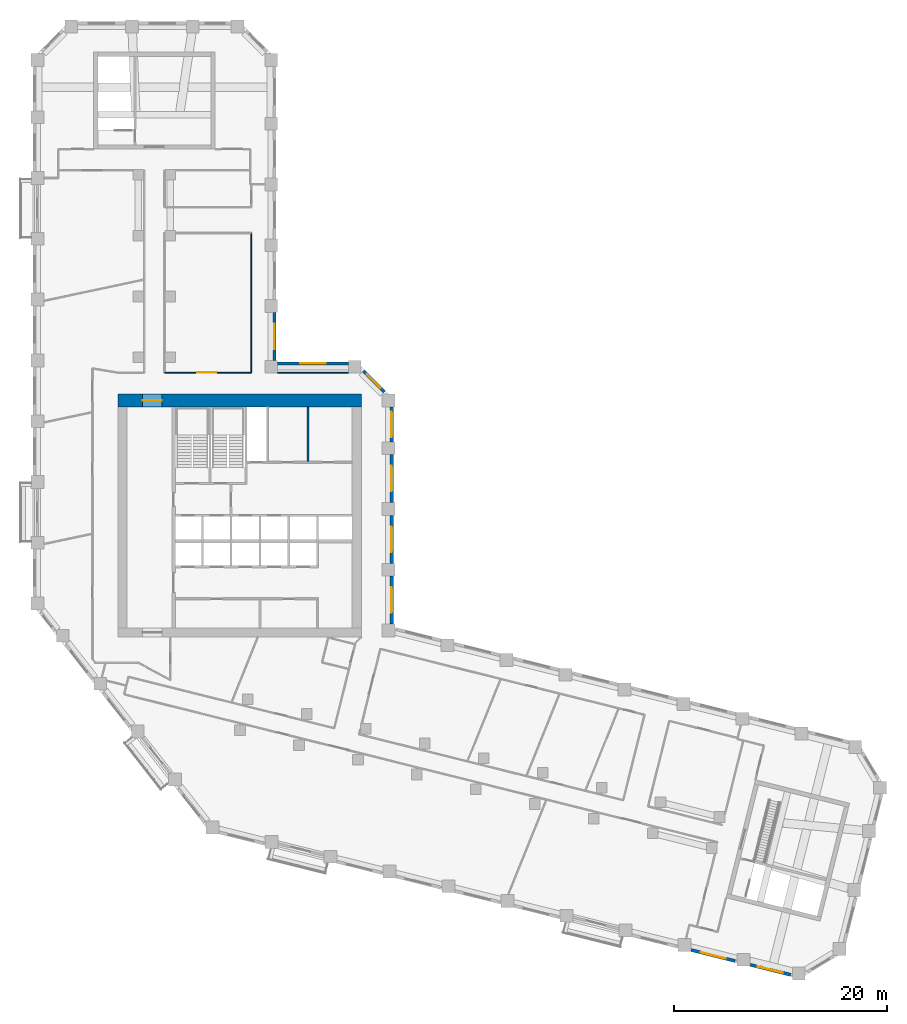
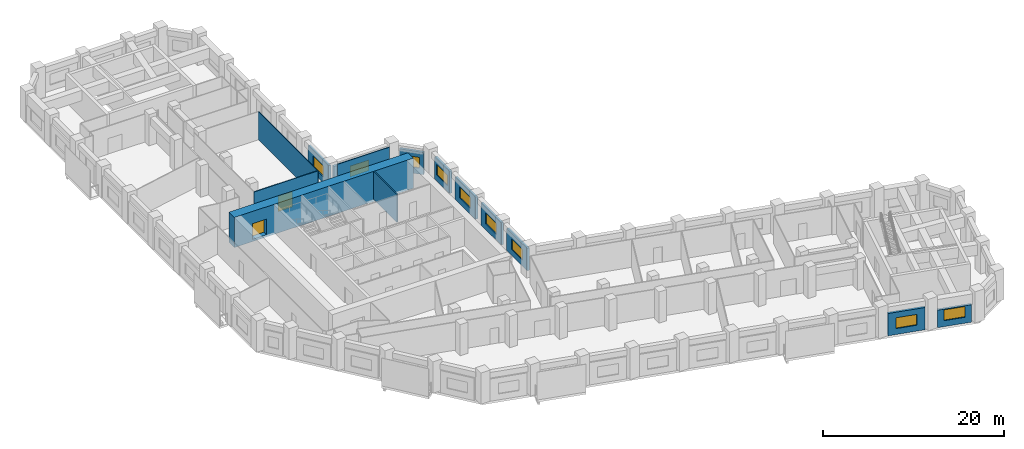
# One storey, part 6 of 10: 14 walls, 9 windows, 2 doors, 11 openings.
"""IFC4 building model written with IfcOpenShell, lengths in metres."""

import ifcopenshell
import ifcopenshell.guid

model = None  # the IFC model being written
_history = None  # IfcOwnerHistory: only IFC2X3 demands one
_inside = {}  # id of a spatial element -> (the spatial element, [elements in it])
_under = {}  # id of a project, library or spatial element -> (it, [spatial elements below it])
_declared = {}  # id of a project -> (the project, [libraries it declares])
_typed = {}  # id of a type object -> (the type object, [elements of that type])
_made_of = {}  # id of a material, layer set ... -> (it, [elements and type objects made of it])


def new_model(schema):
    """Start an empty IFC model of exactly this schema.

    Asked for "IFC4X3", IfcOpenShell would pick the latest addendum, in which some entities
    have other attributes; the version numbers below select the first issue.
    IFC2X3 requires an IfcOwnerHistory on every rooted entity: one is made here for all.
    """
    global model, _history
    if schema == "IFC4X3":
        model = ifcopenshell.file(schema_version=(4, 3, 0, 0))
    else:
        model = ifcopenshell.file(schema=schema)
    _inside.clear()
    _under.clear()
    _declared.clear()
    _typed.clear()
    _made_of.clear()
    _history = None
    if model.schema == "IFC2X3":
        org = make("IfcOrganization", Name="unknown")
        user = make(
            "IfcPersonAndOrganization",
            ThePerson=make("IfcPerson", FamilyName="unknown"),
            TheOrganization=org,
        )
        app = make(
            "IfcApplication",
            ApplicationDeveloper=org,
            Version="unknown",
            ApplicationFullName="unknown",
            ApplicationIdentifier="unknown",
        )
        _history = make(
            "IfcOwnerHistory",
            OwningUser=user,
            OwningApplication=app,
            ChangeAction="ADDED",
            CreationDate=0,
        )
    return model


def make(cls, **values):
    """One entity of the class cls with the attributes given. An attribute that is None is left unset."""
    return model.create_entity(
        cls, **{name: value for name, value in values.items() if value is not None}
    )


def rooted(cls, **values):
    """An entity with a GlobalId (a new one), such as an element, a storey or a relation."""
    return make(cls, GlobalId=ifcopenshell.guid.new(), OwnerHistory=_history, **values)


def si_unit(unit_type, name, prefix=None):
    """IfcSIUnit, for example si_unit("LENGTHUNIT", "METRE", prefix="MILLI")."""
    return make("IfcSIUnit", UnitType=unit_type, Prefix=prefix, Name=name)


def assignment(units):
    """IfcUnitAssignment: the units of a project."""
    return None if units is None else make("IfcUnitAssignment", Units=units)


def point(xyz):
    """IfcCartesianPoint."""
    return None if xyz is None else make("IfcCartesianPoint", Coordinates=xyz)


def direction(xyz):
    """IfcDirection."""
    return None if xyz is None else make("IfcDirection", DirectionRatios=xyz)


def frame(location, z_axis=None, x_axis=None):
    """IfcAxis2Placement3D, a coordinate frame: its origin and axes. An axis left out is left unset."""
    return make(
        "IfcAxis2Placement3D",
        Location=point(location),
        Axis=direction(z_axis),
        RefDirection=direction(x_axis),
    )


def frame_2d(location, x_axis=None):
    """IfcAxis2Placement2D, a coordinate frame in the plane: its origin and x axis."""
    return make(
        "IfcAxis2Placement2D", Location=point(location), RefDirection=direction(x_axis)
    )


def origin():
    """The frame at (0, 0, 0) with its axes left unset."""
    return frame((0.0, 0.0, 0.0))


def place(relative_to, where):
    """IfcLocalPlacement: puts the frame where relative to a parent placement (None: the world)."""
    return make(
        "IfcLocalPlacement", PlacementRelTo=relative_to, RelativePlacement=where
    )


def context(
    kind, dimensions, precision=None, world=None, true_north=None, identifier=None
):
    """IfcGeometricRepresentationContext, for example the 3D "Model" context."""
    return make(
        "IfcGeometricRepresentationContext",
        ContextIdentifier=identifier,
        ContextType=kind,
        CoordinateSpaceDimension=dimensions,
        Precision=precision,
        WorldCoordinateSystem=world,
        TrueNorth=true_north,
    )


def subcontext(parent, identifier, kind, view, scale=None):
    """IfcGeometricRepresentationSubContext, for example "Body" below "Model"."""
    return make(
        "IfcGeometricRepresentationSubContext",
        ContextIdentifier=identifier,
        ContextType=kind,
        ParentContext=parent,
        TargetScale=scale,
        TargetView=view,
    )


def project(units=None, contexts=None):
    """IfcProject with its units and contexts."""
    return rooted(
        "IfcProject",
        Name="project",
        RepresentationContexts=contexts,
        UnitsInContext=assignment(units),
    )


def spatial(cls, under=None, at=None, **own):
    """A site, building, storey or space (cls), placed at a placement, below another one or the project."""
    s = rooted(cls, ObjectPlacement=at, **own)
    if under is not None:
        _under.setdefault(under.id(), (under, []))[1].append(s)
    return s


def profile(cls, at=None, kind="AREA", **sizes):
    """A parametric profile (cls). Its sizes go by their IFC names, for example OverallWidth=200.0."""
    return make(cls, ProfileType=kind, Position=at, **sizes)


def rectangle(**sizes):
    """IfcRectangleProfileDef."""
    return profile("IfcRectangleProfileDef", **sizes)


def extrude(swept, where, along, depth):
    """IfcExtrudedAreaSolid: the profile swept, set in the frame where, extruded along a direction by depth."""
    return make(
        "IfcExtrudedAreaSolid",
        SweptArea=swept,
        Position=where,
        ExtrudedDirection=direction(along),
        Depth=depth,
    )


def shape(context_of_items, identifier, shape_type, items):
    """IfcShapeRepresentation: the items that make up one representation, for example the "Body"."""
    return make(
        "IfcShapeRepresentation",
        ContextOfItems=context_of_items,
        RepresentationIdentifier=identifier,
        RepresentationType=shape_type,
        Items=items,
    )


def material(Name=None, Category=None):
    """IfcMaterial."""
    return make("IfcMaterial", Name=Name, Category=Category)


def layer(
    of_material, thickness, ventilated=None, Name=None, Category=None, Priority=None
):
    """IfcMaterialLayer: one layer of a wall or slab, of a material (None: an air gap)."""
    return make(
        "IfcMaterialLayer",
        Material=of_material,
        LayerThickness=thickness,
        IsVentilated=ventilated,
        Name=Name,
        Category=Category,
        Priority=Priority,
    )


def layer_set(layers, Name=None):
    """IfcMaterialLayerSet."""
    return make("IfcMaterialLayerSet", MaterialLayers=layers, LayerSetName=Name)


def made_of(thing, what):
    """Note that an element or type object is made of a material, layer set ...; save() writes the relation."""
    if what is not None:
        _made_of.setdefault(what.id(), (what, []))[1].append(thing)
    return thing


def type_object(cls, material=None, **own):
    """A type object (cls), such as IfcWallType, which elements share."""
    return made_of(rooted(cls, **own), material)


def element(
    cls,
    number,
    at=None,
    inside=None,
    cuts=None,
    type_object=None,
    material=None,
    context=None,
    identifier="Body",
    shape_type=None,
    held_by="IfcProductDefinitionShape",
    body=None,
    shapes=None,
    **own,
):
    """One element of the class cls, such as IfcWall. Its Tag is "e" and its number.

    at: its placement. inside: the storey or other place that contains it. cuts: it is an
    opening in that element (IfcRelVoidsElement). A single representation is given by context,
    identifier, shape_type and body (its items); several are given by shapes. held_by: the class
    of the entity that holds the representations. save() writes the other relations.
    """
    e = rooted(cls, Tag="e%d" % number, ObjectPlacement=at, **own)
    if body is not None:
        shapes = [shape(context, identifier, shape_type, body)]
    if shapes is not None:
        e.Representation = make(held_by, Representations=shapes)
    if inside is not None:
        _inside.setdefault(inside.id(), (inside, []))[1].append(e)
    if cuts is not None:
        rooted(
            "IfcRelVoidsElement", RelatingBuildingElement=cuts, RelatedOpeningElement=e
        )
    if type_object is not None:
        _typed.setdefault(type_object.id(), (type_object, []))[1].append(e)
    return made_of(e, material)


def fill(opening, filler):
    """IfcRelFillsElement: the door or window that sits in an opening."""
    return rooted(
        "IfcRelFillsElement",
        RelatingOpeningElement=opening,
        RelatedBuildingElement=filler,
    )


def aggregate(whole, parts):
    """IfcRelAggregates: a whole, such as a stair, and the parts it consists of."""
    return rooted("IfcRelAggregates", RelatingObject=whole, RelatedObjects=parts)


def save(model, path):
    """Write the relations noted so far, then the file.

    IfcRelAggregates (storeys below a building ...), IfcRelContainedInSpatialStructure (elements
    in a storey), IfcRelDefinesByType, IfcRelAssociatesMaterial and IfcRelDeclares: one each for
    every whole, place, type object, material and project.
    """
    for whole, parts in _under.values():
        aggregate(whole, parts)
    for where, things in _inside.values():
        rooted(
            "IfcRelContainedInSpatialStructure",
            RelatedElements=things,
            RelatingStructure=where,
        )
    for kind, things in _typed.values():
        rooted("IfcRelDefinesByType", RelatedObjects=things, RelatingType=kind)
    for what, things in _made_of.values():
        rooted("IfcRelAssociatesMaterial", RelatedObjects=things, RelatingMaterial=what)
    for by, libraries in _declared.values():
        rooted("IfcRelDeclares", RelatingContext=by, RelatedDefinitions=libraries)
    model.write(path)


model = new_model("IFC4")

# Units and contexts
model_context = context("Model", 3, precision=1e-05, world=origin(), true_north=direction((0.0, 1.0)))
body_context = subcontext(model_context, "Body", "Model", "MODEL_VIEW")
ifc_project = project(units=[si_unit("LENGTHUNIT", "METRE"), si_unit("AREAUNIT", "SQUARE_METRE"), si_unit("VOLUMEUNIT", "CUBIC_METRE"), si_unit("PLANEANGLEUNIT", "RADIAN"), si_unit("MASSUNIT", "GRAM", prefix="KILO")], contexts=[model_context])

# Site, building, storey
site_placement = place(None, origin())
site = spatial("IfcSite", under=ifc_project, at=site_placement, CompositionType="ELEMENT")
building_placement = place(site_placement, origin())
building = spatial("IfcBuilding", under=site, at=building_placement, Name="Meshkara Civic Tower", CompositionType="ELEMENT")
storey_placement = place(building_placement, frame((0.0, 0.0, 216.0)))
storey = spatial("IfcBuildingStorey", under=building, at=storey_placement, Name="L49", CompositionType="ELEMENT", Elevation=216.0)

# Wall
ifc_material_1 = material(Name="Blockwork", Category="masonry")
ifc_layer_1 = layer(ifc_material_1, 0.14990234375)
ifc_layer_set_1 = layer_set([ifc_layer_1], Name="Core partition 150")
wall_type_1 = type_object("IfcWallType", Name="Core partition 150", PredefinedType="PARTITIONING", material=ifc_layer_set_1)
wall_1_placement = place(storey_placement, frame((25.800048828125, 30.574951171875, 0.0), z_axis=(0.0, 0.0, 1.0), x_axis=(0.0, 1.0, 0.0)))
element("IfcWall", 1, at=wall_1_placement, inside=storey, type_object=wall_type_1, Name="L49-C020", PredefinedType="PARTITIONING", context=body_context, shape_type="SweptSolid", body=[
    extrude(rectangle(XDim=5.125, YDim=0.14990234375, at=frame_2d((2.5625, 0.0))), origin(), (0.0, 0.0, 1.0), 3.75),
])

# Wall, opening, door
ifc_material_2 = material(Name="Concrete C70", Category="concrete")
ifc_layer_2 = layer(ifc_material_2, 1.199951171875)
ifc_layer_set_2 = layer_set([ifc_layer_2], Name="Core ring wall 1200 C70")
wall_type_2 = type_object("IfcWallType", Name="Core ring wall 1200 C70", PredefinedType="SHEAR", material=ifc_layer_set_2)
wall_2_placement = place(storey_placement, frame((8.0, 36.300048828125, -0.300048828125), z_axis=(0.0, 0.0, 1.0), x_axis=(1.0, 0.0, 0.0)))
wall_2 = element("IfcWall", 2, at=wall_2_placement, inside=storey, type_object=wall_type_2, Name="L49-C002", PredefinedType="SHEAR", context=body_context, shape_type="SweptSolid", body=[
    extrude(rectangle(XDim=22.800048828125, YDim=1.199951171875, at=frame_2d((11.39990234375, 0.0))), origin(), (0.0, 0.0, 1.0), 4.050048828125),
])
opening_1_placement = place(wall_2_placement, frame((2.300048828125, 0.0, 0.300048828125)))
opening_1 = element("IfcOpeningElement", 3, at=opening_1_placement, cuts=wall_2, Name="Opening L49-K020", PredefinedType="OPENING", context=body_context, shape_type="SweptSolid", body=[
    extrude(rectangle(XDim=1.800048828125, YDim=2.10009765625, at=frame_2d((0.89990234375, 1.050048828125))), frame((0.0, 0.60986328125, 0.0), z_axis=(0.0, -1.0, 0.0), x_axis=(1.0, 0.0, 0.0)), (0.0, 0.0, 1.0), 1.219970703125),
])
ifc_material_3 = material(Name="Fire-rated door leaf in steel frame", Category="steel")
door_type_1 = type_object("IfcDoorType", Name="Core double door 1800 EI 60", OperationType="DOUBLE_DOOR_SINGLE_SWING", PredefinedType="DOOR", material=ifc_material_3)
door_1_placement = place(opening_1_placement, origin())
door_1 = element("IfcDoor", 4, at=door_1_placement, inside=storey, type_object=door_type_1, Name="L49-K020", OperationType="DOUBLE_DOOR_SINGLE_SWING", OverallHeight=2.10009765625, OverallWidth=1.800048828125, PredefinedType="DOOR", context=body_context, shape_type="SweptSolid", body=[
    extrude(rectangle(XDim=1.800048828125, YDim=2.10009765625, at=frame_2d((0.89990234375, 1.050048828125))), frame((0.0, 0.02490234375, 0.0), z_axis=(0.0, -1.0, 0.0), x_axis=(1.0, 0.0, 0.0)), (0.0, 0.0, 1.0), 0.050048828125),
])
fill(opening_1, door_1)

ifc_material_4 = material(Name="Corridor wall 100")
ifc_layer_3 = layer(ifc_material_4, 0.10009765625)
ifc_layer_set_3 = layer_set([ifc_layer_3], Name="Corridor wall 100")
wall_type_3 = type_object("IfcWallType", Name="Corridor wall 100", PredefinedType="PARTITIONING", material=ifc_layer_set_3)
wall_3_placement = place(storey_placement, frame((20.5, 38.89990234375, 0.0), z_axis=(0.0, 0.0, 1.0), x_axis=(-1.0, 0.0, 0.0)))
wall_3 = element("IfcWall", 5, at=wall_3_placement, inside=storey, type_object=wall_type_3, Name="L49-W021", PredefinedType="PARTITIONING", context=body_context, shape_type="SweptSolid", body=[
    extrude(rectangle(XDim=8.14990234375, YDim=0.10009765625, at=frame_2d((4.074951171875, 0.0))), origin(), (0.0, 0.0, 1.0), 3.75),
])
opening_2_placement = place(wall_3_placement, frame((3.280029296875, 0.0, 0.0)))
opening_2 = element("IfcOpeningElement", 6, at=opening_2_placement, cuts=wall_3, Name="Opening L49-D018", PredefinedType="OPENING", context=body_context, shape_type="SweptSolid", body=[
    extrude(rectangle(XDim=1.800048828125, YDim=2.10009765625, at=frame_2d((0.89990234375, 1.050048828125))), frame((0.0, 0.06005859375, 0.0), z_axis=(0.0, -1.0, 0.0), x_axis=(1.0, 0.0, 0.0)), (0.0, 0.0, 1.0), 0.1201171875),
])
ifc_material_5 = material(Name="Door pair 1800 x 2100")
door_type_2 = type_object("IfcDoorType", Name="Door pair 1800 x 2100", OperationType="SINGLE_SWING_LEFT", PredefinedType="DOOR", material=ifc_material_5)
door_2_placement = place(opening_2_placement, origin())
door_2 = element("IfcDoor", 7, at=door_2_placement, inside=storey, type_object=door_type_2, Name="L49-D018", OperationType="DOUBLE_DOOR_SINGLE_SWING", OverallHeight=2.10009765625, OverallWidth=1.800048828125, PredefinedType="DOOR", context=body_context, shape_type="SweptSolid", body=[
    extrude(rectangle(XDim=1.800048828125, YDim=2.10009765625, at=frame_2d((0.89990234375, 1.050048828125))), frame((0.0, 0.02490234375, 0.0), z_axis=(0.0, -1.0, 0.0), x_axis=(1.0, 0.0, 0.0)), (0.0, 0.0, 1.0), 0.050048828125),
])
fill(opening_2, door_2)

# Walls
wall_4_placement = place(storey_placement, frame((20.5, 52.0, 0.0), z_axis=(0.0, 0.0, 1.0), x_axis=(0.0, -1.0, 0.0)))
element("IfcWall", 8, at=wall_4_placement, inside=storey, type_object=wall_type_3, Name="L49-W022", PredefinedType="PARTITIONING", context=body_context, shape_type="SweptSolid", body=[
    extrude(rectangle(XDim=13.10009765625, YDim=0.10009765625, at=frame_2d((6.550048828125, 0.0))), origin(), (0.0, 0.0, 1.0), 3.75),
])
wall_5_placement = place(storey_placement, frame((29.593994140625, 38.89990234375, 0.0), z_axis=(0.0, 0.0, 1.0), x_axis=(-1.0, 0.0, 0.0)))
element("IfcWall", 9, at=wall_5_placement, inside=storey, type_object=wall_type_3, Name="L49-W027", PredefinedType="PARTITIONING", context=body_context, shape_type="SweptSolid", body=[
    extrude(rectangle(XDim=6.64404296875, YDim=0.10009765625, at=frame_2d((3.322021484375, 0.0))), origin(), (0.0, 0.0, 1.0), 3.75),
])

# Wall, opening, window
ifc_material_6 = material(Name="Insulated infill panel with bronze anodised aluminium cladding", Category="aluminium")
ifc_layer_4 = layer(ifc_material_6, 0.300048828125)
ifc_layer_set_4 = layer_set([ifc_layer_4], Name="EXTERNAL INFILL WALL 300")
wall_type_4 = type_object("IfcWallType", Name="EXTERNAL INFILL WALL 300", PredefinedType="SOLIDWALL", material=ifc_layer_set_4)
wall_6_placement = place(storey_placement, frame((33.64990234375, 15.319091796875, 0.0), z_axis=(0.0, 0.0, 1.0), x_axis=(0.0, 1.0, 0.0)))
wall_6 = element("IfcWall", 10, at=wall_6_placement, inside=storey, type_object=wall_type_4, Name="External wall", PredefinedType="SOLIDWALL", context=body_context, shape_type="SweptSolid", body=[
    extrude(rectangle(XDim=4.5, YDim=0.300048828125, at=frame_2d((2.25, 0.0))), origin(), (0.0, 0.0, 1.0), 3.0),
])
opening_3_placement = place(wall_6_placement, frame((1.050048828125, 0.0, 0.800048828125)))
opening_3 = element("IfcOpeningElement", 11, at=opening_3_placement, cuts=wall_6, Name="Opening W8", PredefinedType="OPENING", context=body_context, shape_type="SweptSolid", body=[
    extrude(rectangle(XDim=2.39990234375, YDim=1.449951171875, at=frame_2d((1.199951171875, 0.72509765625))), frame((0.0, 0.159912109375, 0.0), z_axis=(0.0, -1.0, 0.0), x_axis=(1.0, 0.0, 0.0)), (0.0, 0.0, 1.0), 0.320068359375),
])
ifc_material_7 = material(Name="Tinted double glazing", Category="glass")
window_type_1 = type_object("IfcWindowType", Name="WINDOW 2400x1450", PartitioningType="DOUBLE_PANEL_VERTICAL", PredefinedType="WINDOW", material=ifc_material_7)
window_1_placement = place(opening_3_placement, origin())
window_1 = element("IfcWindow", 12, at=window_1_placement, inside=storey, type_object=window_type_1, Name="Window", OverallHeight=1.449951171875, OverallWidth=2.39990234375, PartitioningType="DOUBLE_PANEL_VERTICAL", PredefinedType="WINDOW", context=body_context, shape_type="SweptSolid", body=[
    extrude(rectangle(XDim=2.39990234375, YDim=1.449951171875, at=frame_2d((1.199951171875, 0.72509765625))), frame((0.0, 0.030029296875, 0.0), z_axis=(0.0, -1.0, 0.0), x_axis=(1.0, 0.0, 0.0)), (0.0, 0.0, 1.0), 0.06005859375),
])
fill(opening_3, window_1)

wall_7_placement = place(storey_placement, frame((33.64990234375, 21.01904296875, 0.0), z_axis=(0.0, 0.0, 1.0), x_axis=(0.0, 1.0, 0.0)))
wall_7 = element("IfcWall", 13, at=wall_7_placement, inside=storey, type_object=wall_type_4, Name="External wall", PredefinedType="SOLIDWALL", context=body_context, shape_type="SweptSolid", body=[
    extrude(rectangle(XDim=4.5, YDim=0.300048828125, at=frame_2d((2.25, 0.0))), origin(), (0.0, 0.0, 1.0), 3.0),
])
opening_4_placement = place(wall_7_placement, frame((1.050048828125, 0.0, 0.800048828125)))
opening_4 = element("IfcOpeningElement", 14, at=opening_4_placement, cuts=wall_7, Name="Opening W8", PredefinedType="OPENING", context=body_context, shape_type="SweptSolid", body=[
    extrude(rectangle(XDim=2.39990234375, YDim=1.449951171875, at=frame_2d((1.199951171875, 0.72509765625))), frame((0.0, 0.159912109375, 0.0), z_axis=(0.0, -1.0, 0.0), x_axis=(1.0, 0.0, 0.0)), (0.0, 0.0, 1.0), 0.320068359375),
])
window_2_placement = place(opening_4_placement, origin())
window_2 = element("IfcWindow", 15, at=window_2_placement, inside=storey, type_object=window_type_1, Name="Window", OverallHeight=1.449951171875, OverallWidth=2.39990234375, PartitioningType="DOUBLE_PANEL_VERTICAL", PredefinedType="WINDOW", context=body_context, shape_type="SweptSolid", body=[
    extrude(rectangle(XDim=2.39990234375, YDim=1.449951171875, at=frame_2d((1.199951171875, 0.72509765625))), frame((0.0, 0.030029296875, 0.0), z_axis=(0.0, -1.0, 0.0), x_axis=(1.0, 0.0, 0.0)), (0.0, 0.0, 1.0), 0.06005859375),
])
fill(opening_4, window_2)

wall_8_placement = place(storey_placement, frame((33.64990234375, 26.718994140625, 0.0), z_axis=(0.0, 0.0, 1.0), x_axis=(0.0, 1.0, 0.0)))
wall_8 = element("IfcWall", 16, at=wall_8_placement, inside=storey, type_object=wall_type_4, Name="External wall", PredefinedType="SOLIDWALL", context=body_context, shape_type="SweptSolid", body=[
    extrude(rectangle(XDim=4.5, YDim=0.300048828125, at=frame_2d((2.25, 0.0))), origin(), (0.0, 0.0, 1.0), 3.0),
])
opening_5_placement = place(wall_8_placement, frame((1.050048828125, 0.0, 0.800048828125)))
opening_5 = element("IfcOpeningElement", 17, at=opening_5_placement, cuts=wall_8, Name="Opening W8", PredefinedType="OPENING", context=body_context, shape_type="SweptSolid", body=[
    extrude(rectangle(XDim=2.39990234375, YDim=1.449951171875, at=frame_2d((1.199951171875, 0.72509765625))), frame((0.0, 0.159912109375, 0.0), z_axis=(0.0, -1.0, 0.0), x_axis=(1.0, 0.0, 0.0)), (0.0, 0.0, 1.0), 0.320068359375),
])
window_3_placement = place(opening_5_placement, origin())
window_3 = element("IfcWindow", 18, at=window_3_placement, inside=storey, type_object=window_type_1, Name="Window", OverallHeight=1.449951171875, OverallWidth=2.39990234375, PartitioningType="DOUBLE_PANEL_VERTICAL", PredefinedType="WINDOW", context=body_context, shape_type="SweptSolid", body=[
    extrude(rectangle(XDim=2.39990234375, YDim=1.449951171875, at=frame_2d((1.199951171875, 0.72509765625))), frame((0.0, 0.030029296875, 0.0), z_axis=(0.0, -1.0, 0.0), x_axis=(1.0, 0.0, 0.0)), (0.0, 0.0, 1.0), 0.06005859375),
])
fill(opening_5, window_3)

wall_9_placement = place(storey_placement, frame((33.64990234375, 32.4189453125, 0.0), z_axis=(0.0, 0.0, 1.0), x_axis=(0.0, 1.0, 0.0)))
wall_9 = element("IfcWall", 19, at=wall_9_placement, inside=storey, type_object=wall_type_4, Name="External wall", PredefinedType="SOLIDWALL", context=body_context, shape_type="SweptSolid", body=[
    extrude(rectangle(XDim=3.275146484375, YDim=0.300048828125, at=frame_2d((1.6376953125, 0.0))), origin(), (0.0, 0.0, 1.0), 3.0),
])
opening_6_placement = place(wall_9_placement, frame((0.43798828125, 0.0, 0.800048828125)))
opening_6 = element("IfcOpeningElement", 20, at=opening_6_placement, cuts=wall_9, Name="Opening W8", PredefinedType="OPENING", context=body_context, shape_type="SweptSolid", body=[
    extrude(rectangle(XDim=2.39990234375, YDim=1.449951171875, at=frame_2d((1.199951171875, 0.72509765625))), frame((0.0, 0.159912109375, 0.0), z_axis=(0.0, -1.0, 0.0), x_axis=(1.0, 0.0, 0.0)), (0.0, 0.0, 1.0), 0.320068359375),
])
window_4_placement = place(opening_6_placement, origin())
window_4 = element("IfcWindow", 21, at=window_4_placement, inside=storey, type_object=window_type_1, Name="Window", OverallHeight=1.449951171875, OverallWidth=2.39990234375, PartitioningType="DOUBLE_PANEL_VERTICAL", PredefinedType="WINDOW", context=body_context, shape_type="SweptSolid", body=[
    extrude(rectangle(XDim=2.39990234375, YDim=1.449951171875, at=frame_2d((1.199951171875, 0.72509765625))), frame((0.0, 0.030029296875, 0.0), z_axis=(0.0, -1.0, 0.0), x_axis=(1.0, 0.0, 0.0)), (0.0, 0.0, 1.0), 0.06005859375),
])
fill(opening_6, window_4)

wall_10_placement = place(storey_placement, frame((32.9619140625, 37.10595703125, 0.0), z_axis=(0.0, 0.0, 1.0), x_axis=(-0.707062649074, 0.707150910545, 0.0)))
wall_10 = element("IfcWall", 22, at=wall_10_placement, inside=storey, type_object=wall_type_4, Name="External wall", PredefinedType="SOLIDWALL", context=body_context, shape_type="SweptSolid", body=[
    extrude(rectangle(XDim=2.76611328125, YDim=0.300048828125, at=frame_2d((1.383056640625, 0.0))), origin(), (0.0, 0.0, 1.0), 3.0),
])
opening_7_placement = place(wall_10_placement, frame((0.48291015625, 0.0, 0.800048828125)))
opening_7 = element("IfcOpeningElement", 23, at=opening_7_placement, cuts=wall_10, Name="Opening W10", PredefinedType="OPENING", context=body_context, shape_type="SweptSolid", body=[
    extrude(rectangle(XDim=1.800048828125, YDim=1.449951171875, at=frame_2d((0.89990234375, 0.72509765625))), frame((0.0, 0.159912109375, 0.0), z_axis=(0.0, -1.0, 0.0), x_axis=(1.0, 0.0, 0.0)), (0.0, 0.0, 1.0), 0.320068359375),
])
ifc_material_8 = material(Name="Tinted double glazing", Category="glass")
window_type_2 = type_object("IfcWindowType", Name="WINDOW 1800x1450", PartitioningType="DOUBLE_PANEL_VERTICAL", PredefinedType="WINDOW", material=ifc_material_8)
window_5_placement = place(opening_7_placement, origin())
window_5 = element("IfcWindow", 24, at=window_5_placement, inside=storey, type_object=window_type_2, Name="Window", OverallHeight=1.449951171875, OverallWidth=1.800048828125, PartitioningType="DOUBLE_PANEL_VERTICAL", PredefinedType="WINDOW", context=body_context, shape_type="SweptSolid", body=[
    extrude(rectangle(XDim=1.800048828125, YDim=1.449951171875, at=frame_2d((0.89990234375, 0.72509765625))), frame((0.0, 0.030029296875, 0.0), z_axis=(0.0, -1.0, 0.0), x_axis=(1.0, 0.0, 0.0)), (0.0, 0.0, 1.0), 0.06005859375),
])
fill(opening_7, window_5)

wall_11_placement = place(storey_placement, frame((29.593994140625, 39.75, 0.0), z_axis=(0.0, 0.0, 1.0), x_axis=(-1.0, 0.0, 0.0)))
wall_11 = element("IfcWall", 25, at=wall_11_placement, inside=storey, type_object=wall_type_4, Name="External wall", PredefinedType="SOLIDWALL", context=body_context, shape_type="SweptSolid", body=[
    extrude(rectangle(XDim=6.64404296875, YDim=0.300048828125, at=frame_2d((3.322021484375, 0.0))), origin(), (0.0, 0.0, 1.0), 3.0),
])
opening_8_placement = place(wall_11_placement, frame((2.1220703125, 0.0, 0.800048828125)))
opening_8 = element("IfcOpeningElement", 26, at=opening_8_placement, cuts=wall_11, Name="Opening W8", PredefinedType="OPENING", context=body_context, shape_type="SweptSolid", body=[
    extrude(rectangle(XDim=2.39990234375, YDim=1.449951171875, at=frame_2d((1.199951171875, 0.72509765625))), frame((0.0, 0.159912109375, 0.0), z_axis=(0.0, -1.0, 0.0), x_axis=(1.0, 0.0, 0.0)), (0.0, 0.0, 1.0), 0.320068359375),
])
window_6_placement = place(opening_8_placement, origin())
window_6 = element("IfcWindow", 27, at=window_6_placement, inside=storey, type_object=window_type_1, Name="Window", OverallHeight=1.449951171875, OverallWidth=2.39990234375, PartitioningType="DOUBLE_PANEL_VERTICAL", PredefinedType="WINDOW", context=body_context, shape_type="SweptSolid", body=[
    extrude(rectangle(XDim=2.39990234375, YDim=1.449951171875, at=frame_2d((1.199951171875, 0.72509765625))), frame((0.0, 0.030029296875, 0.0), z_axis=(0.0, -1.0, 0.0), x_axis=(1.0, 0.0, 0.0)), (0.0, 0.0, 1.0), 0.06005859375),
])
fill(opening_8, window_6)

wall_12_placement = place(storey_placement, frame((22.64990234375, 40.050048828125, 0.0), z_axis=(0.0, 0.0, 1.0), x_axis=(0.0, 1.0, 0.0)))
wall_12 = element("IfcWall", 28, at=wall_12_placement, inside=storey, type_object=wall_type_4, Name="External wall", PredefinedType="SOLIDWALL", context=body_context, shape_type="SweptSolid", body=[
    extrude(rectangle(XDim=4.5, YDim=0.300048828125, at=frame_2d((2.25, 0.0))), origin(), (0.0, 0.0, 1.0), 3.0),
])
opening_9_placement = place(wall_12_placement, frame((1.050048828125, 0.0, 0.800048828125)))
opening_9 = element("IfcOpeningElement", 29, at=opening_9_placement, cuts=wall_12, Name="Opening W8", PredefinedType="OPENING", context=body_context, shape_type="SweptSolid", body=[
    extrude(rectangle(XDim=2.39990234375, YDim=1.449951171875, at=frame_2d((1.199951171875, 0.72509765625))), frame((0.0, 0.159912109375, 0.0), z_axis=(0.0, -1.0, 0.0), x_axis=(1.0, 0.0, 0.0)), (0.0, 0.0, 1.0), 0.320068359375),
])
window_7_placement = place(opening_9_placement, origin())
window_7 = element("IfcWindow", 30, at=window_7_placement, inside=storey, type_object=window_type_1, Name="Window", OverallHeight=1.449951171875, OverallWidth=2.39990234375, PartitioningType="DOUBLE_PANEL_VERTICAL", PredefinedType="WINDOW", context=body_context, shape_type="SweptSolid", body=[
    extrude(rectangle(XDim=2.39990234375, YDim=1.449951171875, at=frame_2d((1.199951171875, 0.72509765625))), frame((0.0, 0.030029296875, 0.0), z_axis=(0.0, -1.0, 0.0), x_axis=(1.0, 0.0, 0.0)), (0.0, 0.0, 1.0), 0.06005859375),
])
fill(opening_9, window_7)

wall_13_placement = place(storey_placement, frame((61.72998046875, -15.236083984375, 0.0), z_axis=(0.0, 0.0, 1.0), x_axis=(0.970304663212, -0.241886048688, 0.0)))
wall_13 = element("IfcWall", 31, at=wall_13_placement, inside=storey, type_object=wall_type_4, Name="External wall", PredefinedType="SOLIDWALL", context=body_context, shape_type="SweptSolid", body=[
    extrude(rectangle(XDim=4.2451171875, YDim=0.300048828125, at=frame_2d((2.12255859375, 0.0))), origin(), (0.0, 0.0, 1.0), 3.0),
])
opening_10_placement = place(wall_13_placement, frame((0.922119140625, 0.0, 0.800048828125)))
opening_10 = element("IfcOpeningElement", 32, at=opening_10_placement, cuts=wall_13, Name="Opening W8", PredefinedType="OPENING", context=body_context, shape_type="SweptSolid", body=[
    extrude(rectangle(XDim=2.39990234375, YDim=1.449951171875, at=frame_2d((1.199951171875, 0.72509765625))), frame((0.0, 0.159912109375, 0.0), z_axis=(0.0, -1.0, 0.0), x_axis=(1.0, 0.0, 0.0)), (0.0, 0.0, 1.0), 0.320068359375),
])
window_8_placement = place(opening_10_placement, origin())
window_8 = element("IfcWindow", 33, at=window_8_placement, inside=storey, type_object=window_type_1, Name="Window", OverallHeight=1.449951171875, OverallWidth=2.39990234375, PartitioningType="DOUBLE_PANEL_VERTICAL", PredefinedType="WINDOW", context=body_context, shape_type="SweptSolid", body=[
    extrude(rectangle(XDim=2.39990234375, YDim=1.449951171875, at=frame_2d((1.199951171875, 0.72509765625))), frame((0.0, 0.030029296875, 0.0), z_axis=(0.0, -1.0, 0.0), x_axis=(1.0, 0.0, 0.0)), (0.0, 0.0, 1.0), 0.06005859375),
])
fill(opening_10, window_8)

wall_14_placement = place(storey_placement, frame((67.260009765625, -16.614990234375, 0.0), z_axis=(0.0, 0.0, 1.0), x_axis=(0.97033344074, -0.241770580885, 0.0)))
wall_14 = element("IfcWall", 34, at=wall_14_placement, inside=storey, type_object=wall_type_4, Name="External wall", PredefinedType="SOLIDWALL", context=body_context, shape_type="SweptSolid", body=[
    extrude(rectangle(XDim=3.905029296875, YDim=0.300048828125, at=frame_2d((1.95263671875, 0.0))), origin(), (0.0, 0.0, 1.0), 2.35009765625),
])
opening_11_placement = place(wall_14_placement, frame((0.751953125, 0.0, 0.800048828125)))
opening_11 = element("IfcOpeningElement", 35, at=opening_11_placement, cuts=wall_14, Name="Opening W8", PredefinedType="OPENING", context=body_context, shape_type="SweptSolid", body=[
    extrude(rectangle(XDim=2.39990234375, YDim=1.449951171875, at=frame_2d((1.199951171875, 0.72509765625))), frame((0.0, 0.159912109375, 0.0), z_axis=(0.0, -1.0, 0.0), x_axis=(1.0, 0.0, 0.0)), (0.0, 0.0, 1.0), 0.320068359375),
])
window_9_placement = place(opening_11_placement, origin())
window_9 = element("IfcWindow", 36, at=window_9_placement, inside=storey, type_object=window_type_1, Name="Window", OverallHeight=1.449951171875, OverallWidth=2.39990234375, PartitioningType="DOUBLE_PANEL_VERTICAL", PredefinedType="WINDOW", context=body_context, shape_type="SweptSolid", body=[
    extrude(rectangle(XDim=2.39990234375, YDim=1.449951171875, at=frame_2d((1.199951171875, 0.72509765625))), frame((0.0, 0.030029296875, 0.0), z_axis=(0.0, -1.0, 0.0), x_axis=(1.0, 0.0, 0.0)), (0.0, 0.0, 1.0), 0.06005859375),
])
fill(opening_11, window_9)

save(model, "model.ifc")
